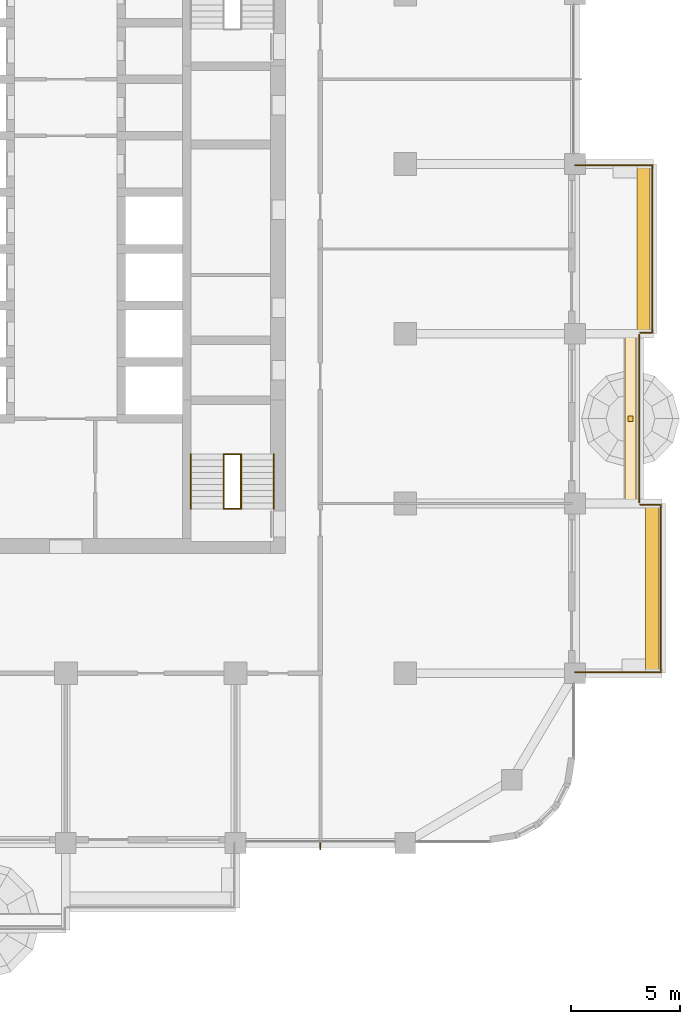
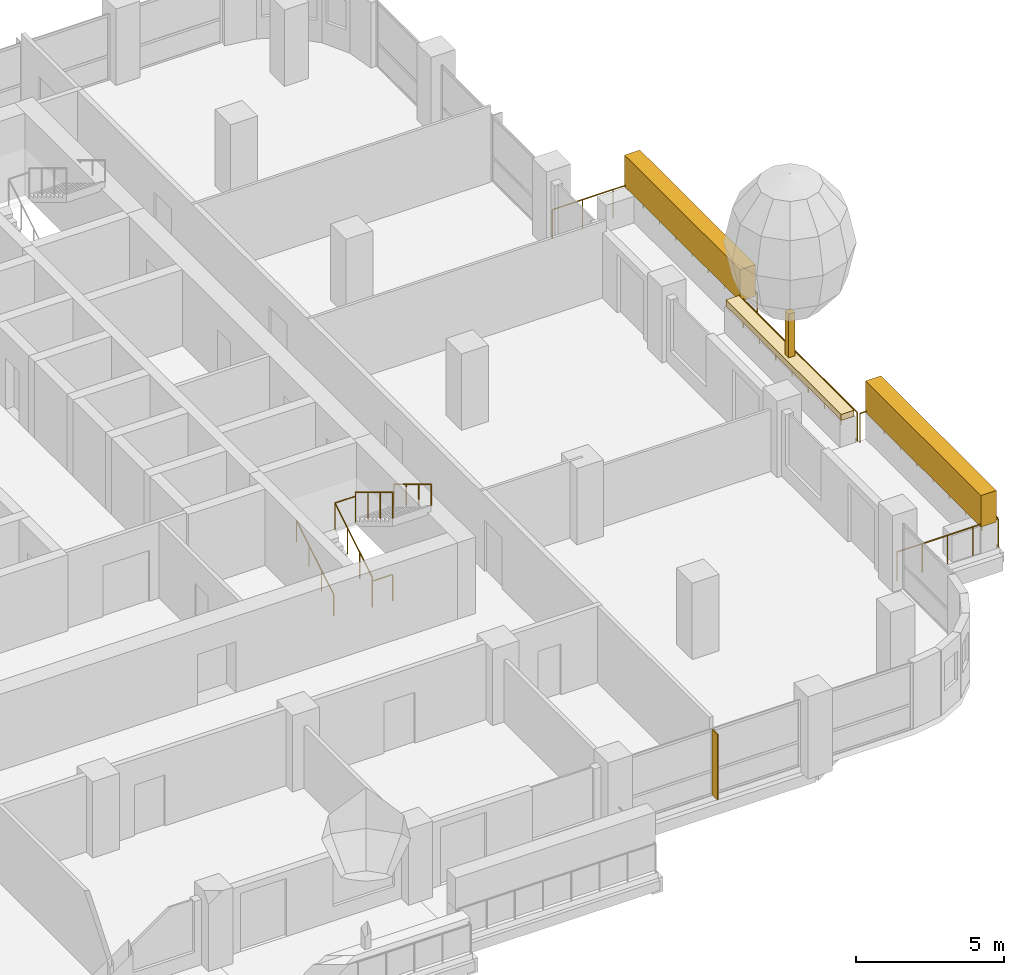
# One storey, part 18 of 21: 9 railings, 4 coverings, 1 shading device, 1 element without a shape of its own.
"""IFC4 building model written with IfcOpenShell, lengths in metres."""

from ifc_helpers import new_model, si_unit, direction, frame, origin, origin_2d, place, context, subcontext, project, spatial, rectangle, circle, extrude, material, layer, layer_set, type_object, element, aggregate, save


model = new_model("IFC4")

# Units and contexts
model_context = context("Model", 3, precision=1e-05, world=origin(), true_north=direction((0.0, 1.0)))
body_context = subcontext(model_context, "Body", "Model", "MODEL_VIEW")
ifc_project = project(units=[si_unit("LENGTHUNIT", "METRE"), si_unit("AREAUNIT", "SQUARE_METRE"), si_unit("VOLUMEUNIT", "CUBIC_METRE"), si_unit("PLANEANGLEUNIT", "RADIAN"), si_unit("MASSUNIT", "GRAM", prefix="KILO")], contexts=[model_context])

# Site, building, storey
site_placement = place(None, origin())
site = spatial("IfcSite", under=ifc_project, at=site_placement, CompositionType="ELEMENT")
building_placement = place(site_placement, origin())
building = spatial("IfcBuilding", under=site, at=building_placement, Name="Ludao Terraces", CompositionType="ELEMENT")
storey_placement = place(building_placement, frame((0.0, 0.0, 71.60009765625)))
storey = spatial("IfcBuildingStorey", under=building, at=storey_placement, Name="L19", CompositionType="ELEMENT", Elevation=71.60009765625)

# Railings
ifc_material_1 = material(Name="Stainless steel 304", Category="steel")
railing_type_1 = type_object("IfcRailingType", Name="ENV Balcony glass guard 1200", PredefinedType="GUARDRAIL", material=ifc_material_1)
railing_1_placement = place(storey_placement, frame((108.39990234375, 49.449951171875, 0.0)))
element("IfcRailing", 1, at=railing_1_placement, inside=storey, type_object=railing_type_1, Name="Balcony guard L19 E1", PredefinedType="GUARDRAIL", context=body_context, shape_type="SweptSolid", body=[
    extrude(circle(Radius=0.02392578125, at=origin_2d()), frame((0.0, 0.0, 1.17578125), z_axis=(1.0, 0.0, 0.0), x_axis=(0.0, 1.0, 0.0)), (0.0, 0.0, 1.0), 3.9501953125),
    extrude(circle(Radius=0.02392578125, at=origin_2d()), frame((3.9501953125, 0.0, 1.17578125), z_axis=(0.0, 1.0, 0.0), x_axis=(-1.0, 0.0, 0.0)), (0.0, 0.0, 1.0), 7.699951171875),
    extrude(circle(Radius=0.02392578125, at=origin_2d()), frame((3.9501953125, 7.699951171875, 1.17578125), z_axis=(-1.0, 0.0, 0.0), x_axis=(0.0, -1.0, 0.0)), (0.0, 0.0, 1.0), 0.9501953125),
    extrude(circle(Radius=0.02099609375, at=origin_2d()), origin(), (0.0, 0.0, 1.0), 1.15185546875),
    extrude(circle(Radius=0.02099609375, at=origin_2d()), frame((0.987548828125, 0.0, 0.0)), (0.0, 0.0, 1.0), 1.15185546875),
    extrude(circle(Radius=0.02099609375, at=origin_2d()), frame((1.97509765625, 0.0, 0.0)), (0.0, 0.0, 1.0), 1.15185546875),
    extrude(circle(Radius=0.02099609375, at=origin_2d()), frame((2.962646484375, 0.0, 0.0)), (0.0, 0.0, 1.0), 1.15185546875),
    extrude(circle(Radius=0.02099609375, at=origin_2d()), frame((3.9501953125, 0.0, 0.0)), (0.0, 0.0, 1.0), 1.15185546875),
    extrude(circle(Radius=0.02099609375, at=origin_2d()), frame((3.9501953125, 1.10009765625, 0.0)), (0.0, 0.0, 1.0), 1.15185546875),
    extrude(circle(Radius=0.02099609375, at=origin_2d()), frame((3.9501953125, 2.199951171875, 0.0)), (0.0, 0.0, 1.0), 1.15185546875),
    extrude(circle(Radius=0.02099609375, at=origin_2d()), frame((3.9501953125, 3.300048828125, 0.0)), (0.0, 0.0, 1.0), 1.15185546875),
    extrude(circle(Radius=0.02099609375, at=origin_2d()), frame((3.9501953125, 4.39990234375, 0.0)), (0.0, 0.0, 1.0), 1.15185546875),
    extrude(circle(Radius=0.02099609375, at=origin_2d()), frame((3.9501953125, 5.5, 0.0)), (0.0, 0.0, 1.0), 1.15185546875),
    extrude(circle(Radius=0.02099609375, at=origin_2d()), frame((3.9501953125, 6.599853515625, 0.0)), (0.0, 0.0, 1.0), 1.15185546875),
    extrude(circle(Radius=0.02099609375, at=origin_2d()), frame((3.9501953125, 7.699951171875, 0.0)), (0.0, 0.0, 1.0), 1.15185546875),
    extrude(circle(Radius=0.02099609375, at=origin_2d()), frame((3.0, 7.699951171875, 0.0)), (0.0, 0.0, 1.0), 1.15185546875),
])
railing_2_placement = place(storey_placement, frame((111.35009765625, 57.25, 0.0)))
element("IfcRailing", 2, at=railing_2_placement, inside=storey, type_object=railing_type_1, Name="Balcony guard L19 E2", PredefinedType="GUARDRAIL", context=body_context, shape_type="SweptSolid", body=[
    extrude(circle(Radius=0.02392578125, at=origin_2d()), frame((0.0, 0.0, 1.17578125), z_axis=(0.0, 1.0, 0.0), x_axis=(-1.0, 0.0, 0.0)), (0.0, 0.0, 1.0), 7.699951171875),
    extrude(circle(Radius=0.02099609375, at=origin_2d()), origin(), (0.0, 0.0, 1.0), 1.15185546875),
    extrude(circle(Radius=0.02099609375, at=origin_2d()), frame((0.0, 1.10009765625, 0.0)), (0.0, 0.0, 1.0), 1.15185546875),
    extrude(circle(Radius=0.02099609375, at=origin_2d()), frame((0.0, 2.199951171875, 0.0)), (0.0, 0.0, 1.0), 1.15185546875),
    extrude(circle(Radius=0.02099609375, at=origin_2d()), frame((0.0, 3.300048828125, 0.0)), (0.0, 0.0, 1.0), 1.15185546875),
    extrude(circle(Radius=0.02099609375, at=origin_2d()), frame((0.0, 4.39990234375, 0.0)), (0.0, 0.0, 1.0), 1.15185546875),
    extrude(circle(Radius=0.02099609375, at=origin_2d()), frame((0.0, 5.5, 0.0)), (0.0, 0.0, 1.0), 1.15185546875),
    extrude(circle(Radius=0.02099609375, at=origin_2d()), frame((0.0, 6.599853515625, 0.0)), (0.0, 0.0, 1.0), 1.15185546875),
    extrude(circle(Radius=0.02099609375, at=origin_2d()), frame((0.0, 7.699951171875, 0.0)), (0.0, 0.0, 1.0), 1.15185546875),
])
railing_3_placement = place(storey_placement, frame((111.39990234375, 65.050048828125, 0.0)))
element("IfcRailing", 3, at=railing_3_placement, inside=storey, type_object=railing_type_1, Name="Balcony guard L19 E3", PredefinedType="GUARDRAIL", context=body_context, shape_type="SweptSolid", body=[
    extrude(circle(Radius=0.02392578125, at=origin_2d()), frame((0.0, 0.0, 1.17578125), z_axis=(1.0, 0.0, 0.0), x_axis=(0.0, 1.0, 0.0)), (0.0, 0.0, 1.0), 0.550048828125),
    extrude(circle(Radius=0.02392578125, at=origin_2d()), frame((0.550048828125, 0.0, 1.17578125), z_axis=(0.0, 1.0, 0.0), x_axis=(-1.0, 0.0, 0.0)), (0.0, 0.0, 1.0), 7.699951171875),
    extrude(circle(Radius=0.02392578125, at=origin_2d()), frame((0.550048828125, 7.699951171875, 1.17578125), z_axis=(-1.0, 0.0, 0.0), x_axis=(0.0, -1.0, 0.0)), (0.0, 0.0, 1.0), 3.550048828125),
    extrude(circle(Radius=0.02099609375, at=origin_2d()), origin(), (0.0, 0.0, 1.0), 1.15185546875),
    extrude(circle(Radius=0.02099609375, at=origin_2d()), frame((0.550048828125, 0.0, 0.0)), (0.0, 0.0, 1.0), 1.15185546875),
    extrude(circle(Radius=0.02099609375, at=origin_2d()), frame((0.550048828125, 1.10009765625, 0.0)), (0.0, 0.0, 1.0), 1.15185546875),
    extrude(circle(Radius=0.02099609375, at=origin_2d()), frame((0.550048828125, 2.199951171875, 0.0)), (0.0, 0.0, 1.0), 1.15185546875),
    extrude(circle(Radius=0.02099609375, at=origin_2d()), frame((0.550048828125, 3.300048828125, 0.0)), (0.0, 0.0, 1.0), 1.15185546875),
    extrude(circle(Radius=0.02099609375, at=origin_2d()), frame((0.550048828125, 4.39990234375, 0.0)), (0.0, 0.0, 1.0), 1.15185546875),
    extrude(circle(Radius=0.02099609375, at=origin_2d()), frame((0.550048828125, 5.5, 0.0)), (0.0, 0.0, 1.0), 1.15185546875),
    extrude(circle(Radius=0.02099609375, at=origin_2d()), frame((0.550048828125, 6.599853515625, 0.0)), (0.0, 0.0, 1.0), 1.15185546875),
    extrude(circle(Radius=0.02099609375, at=origin_2d()), frame((0.550048828125, 7.699951171875, 0.0)), (0.0, 0.0, 1.0), 1.15185546875),
    extrude(circle(Radius=0.02099609375, at=origin_2d()), frame((-0.63330078125, 7.699951171875, 0.0)), (0.0, 0.0, 1.0), 1.15185546875),
    extrude(circle(Radius=0.02099609375, at=origin_2d()), frame((-1.816650390625, 7.699951171875, 0.0)), (0.0, 0.0, 1.0), 1.15185546875),
    extrude(circle(Radius=0.02099609375, at=origin_2d()), frame((-3.0, 7.699951171875, 0.0)), (0.0, 0.0, 1.0), 1.15185546875),
])

# Coverings
ifc_material_2 = material(Name="Planting")
ifc_layer_1 = layer(ifc_material_2, 0.5)
ifc_layer_set_1 = layer_set([ifc_layer_1], Name="ENV Planting bed 250")
covering_type_1 = type_object("IfcCoveringType", Name="ENV Planting bed 250", PredefinedType="USERDEFINED", material=ifc_layer_set_1)
covering_1_placement = place(storey_placement, frame((110.949951171875, 61.10009765625, 1.099853515625), z_axis=(0.0, 0.0, 1.0), x_axis=(1.0, 0.0, 0.0)))
element("IfcCovering", 4, at=covering_1_placement, inside=storey, type_object=covering_type_1, Name="Planting bed L19-E2", ObjectType="PLANTING", PredefinedType="USERDEFINED", context=body_context, shape_type="SweptSolid", body=[
    extrude(rectangle(XDim=0.5, YDim=7.800048828125, at=origin_2d()), origin(), (0.0, 0.0, 1.0), 0.25),
])
ifc_layer_2 = layer(ifc_material_2, 0.60009765625)
ifc_layer_set_2 = layer_set([ifc_layer_2], Name="ENV Planting hedge 600x1300")
covering_type_2 = type_object("IfcCoveringType", Name="ENV Planting hedge 600x1300", PredefinedType="USERDEFINED", material=ifc_layer_set_2)
for number, where, z_axis, x_axis, name in (
    (5, (111.949951171875, 53.300048828125, 1.10009765625), (0.0, 0.0, 1.0), (1.0, 0.0, 0.0), "Planting hedge L19-E1"),
    (6, (111.550048828125, 68.89990234375, 1.10009765625), (0.0, 0.0, 1.0), (1.0, 0.0, 0.0), "Planting hedge L19-E3"),
):
    element("IfcCovering", number, at=place(storey_placement, frame(where, z_axis=z_axis, x_axis=x_axis)), inside=storey, type_object=covering_type_2, Name=name, ObjectType="PLANTING", PredefinedType="USERDEFINED", context=body_context, shape_type="SweptSolid", body=[
        extrude(rectangle(XDim=0.60009765625, YDim=7.800048828125, at=origin_2d()), origin(), (0.0, 0.0, 1.0), 1.300048828125),
    ])

# Shading device
ifc_material_3 = material(Name="Aluminium 6063-T6", Category="aluminium")
ifc_layer_3 = layer(ifc_material_3, 0.050048828125)
ifc_layer_set_3 = layer_set([ifc_layer_3], Name="ENV Sun fin 50x350")
shading_device_type = type_object("IfcShadingDeviceType", Name="ENV Sun fin 50x350", PredefinedType="USERDEFINED", material=ifc_layer_set_3)
shading_device_placement = place(storey_placement, frame((96.699951171875, 41.4599609375, 0.0), z_axis=(0.0, 0.0, 1.0), x_axis=(1.0, 0.0, 0.0)))
element("IfcShadingDevice", 7, at=shading_device_placement, inside=storey, type_object=shading_device_type, Name="FN-CW-L19-S5-1", ObjectType="FIN", PredefinedType="USERDEFINED", context=body_context, shape_type="SweptSolid", body=[
    extrude(rectangle(XDim=0.050048828125, YDim=0.35009765625, at=origin_2d()), origin(), (0.0, 0.0, 1.0), 2.699951171875),
])

# Covering
ifc_material_4 = material(Name="Timber tree trunk", Category="wood")
ifc_layer_4 = layer(ifc_material_4, 0.25)
ifc_layer_set_4 = layer_set([ifc_layer_4], Name="ENV Tree trunk 250x1800")
covering_type_3 = type_object("IfcCoveringType", Name="ENV Tree trunk 250x1800", PredefinedType="USERDEFINED", material=ifc_layer_set_4)
covering_2_placement = place(storey_placement, frame((110.949951171875, 61.10009765625, 1.35009765625), z_axis=(0.0, 0.0, 1.0), x_axis=(1.0, 0.0, 0.0)))
element("IfcCovering", 8, at=covering_2_placement, inside=storey, type_object=covering_type_3, Name="Tree trunk L19 E2", ObjectType="PLANTING", PredefinedType="USERDEFINED", context=body_context, shape_type="SweptSolid", body=[
    extrude(rectangle(XDim=0.25, YDim=0.25, at=origin_2d()), origin(), (0.0, 0.0, 1.0), 1.800048828125),
])

# Stair, railings
ifc_material_5 = material(Name="Concrete C40", Category="concrete")
stair_type = type_object("IfcStairType", Name="INT Stair", PredefinedType="HALF_TURN_STAIR", material=ifc_material_5)
stair_placement = place(storey_placement, origin())
stair = element("IfcStair", 9, at=stair_placement, inside=storey, type_object=stair_type, Name="EXIT STAIR 3", PredefinedType="HALF_TURN_STAIR")
railing_type_2 = type_object("IfcRailingType", Name="INT Stair guard 1100", PredefinedType="GUARDRAIL", material=ifc_material_1)
railing_4_placement = place(storey_placement, frame((92.25, 56.949951171875, 0.169921875)))
railing_4 = element("IfcRailing", 10, at=railing_4_placement, type_object=railing_type_2, Name="ST-L19-S3-R1G", PredefinedType="GUARDRAIL", context=body_context, shape_type="SweptSolid", body=[
    extrude(circle(Radius=0.02392578125, at=origin_2d()), frame((0.0, 0.0, 1.076171875), z_axis=(0.0, 0.85478489116, 0.518982456201), x_axis=(-1.0, 0.0, 0.0)), (0.0, 0.0, 1.0), 2.9482421875),
    extrude(circle(Radius=0.02099609375, at=origin_2d()), origin(), (0.0, 0.0, 1.0), 1.052001953125),
    extrude(circle(Radius=0.02099609375, at=origin_2d()), frame((0.0, 0.840087890625, 0.510009765625)), (0.0, 0.0, 1.0), 1.052001953125),
    extrude(circle(Radius=0.02099609375, at=origin_2d()), frame((0.0, 1.679931640625, 1.02001953125)), (0.0, 0.0, 1.0), 1.052001953125),
    extrude(circle(Radius=0.02099609375, at=origin_2d()), frame((0.0, 2.52001953125, 1.530029296875)), (0.0, 0.0, 1.0), 1.052001953125),
])
railing_5_placement = place(storey_placement, frame((93.050048828125, 59.469970703125, 1.869873046875)))
railing_5 = element("IfcRailing", 11, at=railing_5_placement, type_object=railing_type_2, Name="ST-L19-S3-R2G", PredefinedType="GUARDRAIL", context=body_context, shape_type="SweptSolid", body=[
    extrude(circle(Radius=0.02392578125, at=origin_2d()), frame((0.0, 0.0, 1.076171875), z_axis=(0.0, -0.85478489116, 0.518982456201), x_axis=(1.0, 0.0, 0.0)), (0.0, 0.0, 1.0), 2.9482421875),
    extrude(circle(Radius=0.02099609375, at=origin_2d()), origin(), (0.0, 0.0, 1.0), 1.052001953125),
    extrude(circle(Radius=0.02099609375, at=origin_2d()), frame((0.0, -0.840087890625, 0.510009765625)), (0.0, 0.0, 1.0), 1.052001953125),
    extrude(circle(Radius=0.02099609375, at=origin_2d()), frame((0.0, -1.679931640625, 1.02001953125)), (0.0, 0.0, 1.0), 1.052001953125),
    extrude(circle(Radius=0.02099609375, at=origin_2d()), frame((0.0, -2.52001953125, 1.530029296875)), (0.0, 0.0, 1.0), 1.052001953125),
])
railing_6_placement = place(storey_placement, frame((92.25, 59.469970703125, 1.699951171875)))
railing_6 = element("IfcRailing", 12, at=railing_6_placement, type_object=railing_type_2, Name="ST-L19-S3-E1G", PredefinedType="GUARDRAIL", context=body_context, shape_type="SweptSolid", body=[
    extrude(circle(Radius=0.02392578125, at=origin_2d()), frame((0.0, 0.0, 1.076171875), z_axis=(1.0, 0.0, 0.0), x_axis=(0.0, 1.0, 0.0)), (0.0, 0.0, 1.0), 0.800048828125),
    extrude(circle(Radius=0.02099609375, at=origin_2d()), origin(), (0.0, 0.0, 1.0), 1.052001953125),
    extrude(circle(Radius=0.02099609375, at=origin_2d()), frame((0.800048828125, 0.0, 0.0)), (0.0, 0.0, 1.0), 1.052001953125),
])
railing_7_placement = place(storey_placement, frame((92.25, 56.949951171875, 0.0)))
railing_7 = element("IfcRailing", 13, at=railing_7_placement, type_object=railing_type_2, Name="ST-L19-S3-E2G", PredefinedType="GUARDRAIL", context=body_context, shape_type="SweptSolid", body=[
    extrude(circle(Radius=0.02392578125, at=origin_2d()), frame((0.0, 0.0, 1.076171875), z_axis=(1.0, 0.0, 0.0), x_axis=(0.0, 1.0, 0.0)), (0.0, 0.0, 1.0), 0.800048828125),
    extrude(circle(Radius=0.02099609375, at=origin_2d()), origin(), (0.0, 0.0, 1.0), 1.052001953125),
    extrude(circle(Radius=0.02099609375, at=origin_2d()), frame((0.800048828125, 0.0, 0.0)), (0.0, 0.0, 1.0), 1.052001953125),
])
railing_type_3 = type_object("IfcRailingType", Name="INT Stair handrail 900", PredefinedType="HANDRAIL", material=ifc_material_1)
railing_8_placement = place(storey_placement, frame((90.75, 56.949951171875, 0.169921875)))
railing_8 = element("IfcRailing", 14, at=railing_8_placement, type_object=railing_type_3, Name="ST-L19-S3-R1H", PredefinedType="HANDRAIL", context=body_context, shape_type="SweptSolid", body=[
    extrude(circle(Radius=0.02392578125, at=origin_2d()), frame((0.0, 0.0, 0.8759765625), z_axis=(0.0, 0.85478489116, 0.518982456201), x_axis=(-1.0, 0.0, 0.0)), (0.0, 0.0, 1.0), 2.9482421875),
    extrude(circle(Radius=0.02099609375, at=origin_2d()), origin(), (0.0, 0.0, 1.0), 0.851806640625),
    extrude(circle(Radius=0.02099609375, at=origin_2d()), frame((0.0, 0.840087890625, 0.510009765625)), (0.0, 0.0, 1.0), 0.851806640625),
    extrude(circle(Radius=0.02099609375, at=origin_2d()), frame((0.0, 1.679931640625, 1.02001953125)), (0.0, 0.0, 1.0), 0.851806640625),
    extrude(circle(Radius=0.02099609375, at=origin_2d()), frame((0.0, 2.52001953125, 1.530029296875)), (0.0, 0.0, 1.0), 0.851806640625),
])
railing_9_placement = place(storey_placement, frame((94.550048828125, 59.469970703125, 1.869873046875)))
railing_9 = element("IfcRailing", 15, at=railing_9_placement, type_object=railing_type_3, Name="ST-L19-S3-R2H", PredefinedType="HANDRAIL", context=body_context, shape_type="SweptSolid", body=[
    extrude(circle(Radius=0.02392578125, at=origin_2d()), frame((0.0, 0.0, 0.8759765625), z_axis=(0.0, -0.85478489116, 0.518982456201), x_axis=(1.0, 0.0, 0.0)), (0.0, 0.0, 1.0), 2.9482421875),
    extrude(circle(Radius=0.02099609375, at=origin_2d()), origin(), (0.0, 0.0, 1.0), 0.851806640625),
    extrude(circle(Radius=0.02099609375, at=origin_2d()), frame((0.0, -0.840087890625, 0.510009765625)), (0.0, 0.0, 1.0), 0.851806640625),
    extrude(circle(Radius=0.02099609375, at=origin_2d()), frame((0.0, -1.679931640625, 1.02001953125)), (0.0, 0.0, 1.0), 0.851806640625),
    extrude(circle(Radius=0.02099609375, at=origin_2d()), frame((0.0, -2.52001953125, 1.530029296875)), (0.0, 0.0, 1.0), 0.851806640625),
])
aggregate(stair, [railing_4, railing_8, railing_5, railing_9, railing_6, railing_7])

save(model, "model.ifc")
